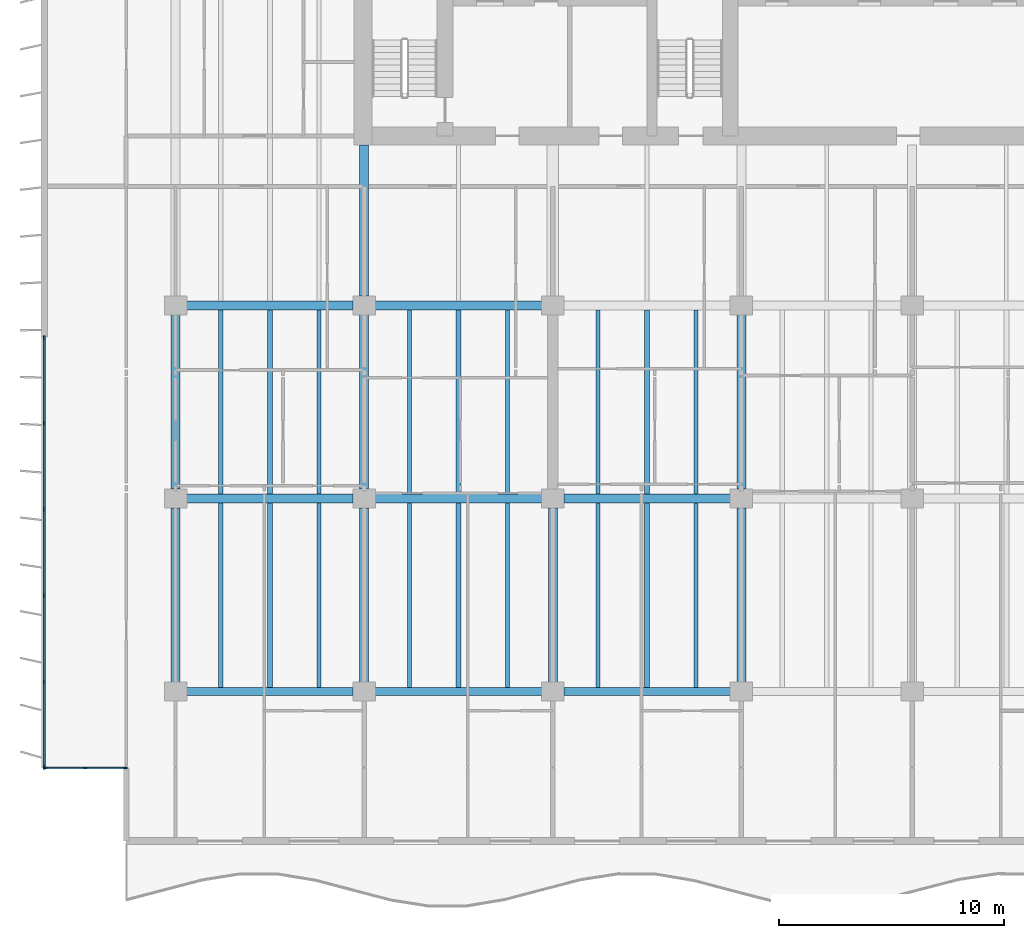
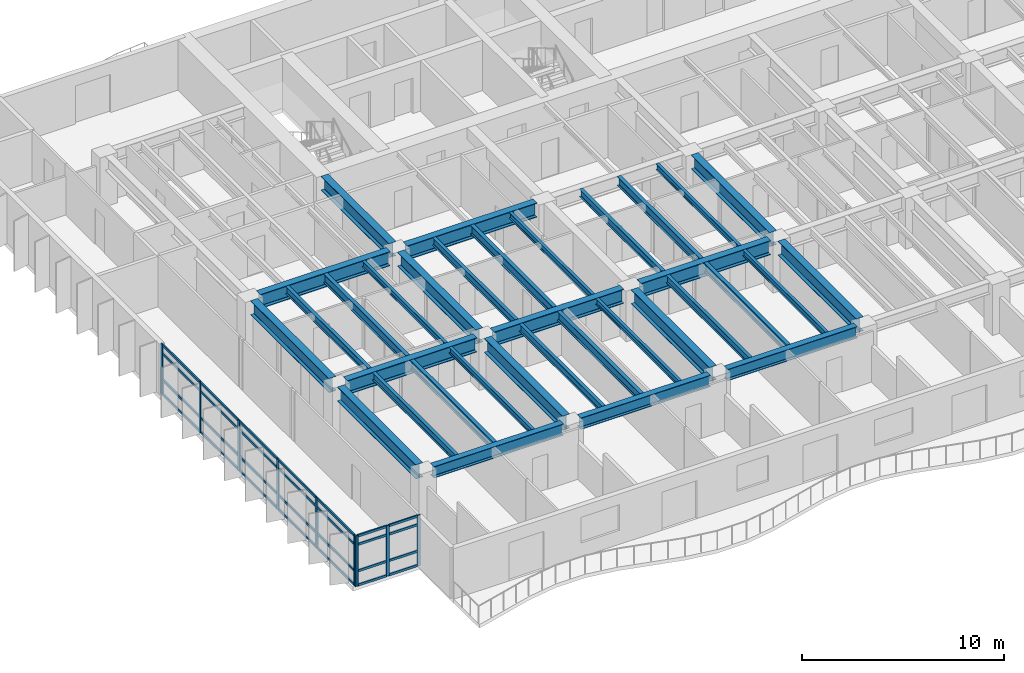
# One storey, part 2 of 18: 37 members, 34 beams, 2 elements without a shape of their own.
"""IFC4 building model written with IfcOpenShell, lengths in metres."""

from ifc_helpers import new_model, si_unit, direction, frame, origin, origin_2d, place, context, subcontext, project, spatial, rectangle, i_section, extrude, material, layer, layer_set, material_profile, profile_set, type_object, element, aggregate, save


model = new_model("IFC4")

# Units and contexts
model_context = context("Model", 3, precision=1e-05, world=origin(), true_north=direction((0.0, 1.0)))
body_context = subcontext(model_context, "Body", "Model", "MODEL_VIEW")
ifc_project = project(units=[si_unit("LENGTHUNIT", "METRE"), si_unit("AREAUNIT", "SQUARE_METRE"), si_unit("VOLUMEUNIT", "CUBIC_METRE"), si_unit("PLANEANGLEUNIT", "RADIAN"), si_unit("MASSUNIT", "GRAM", prefix="KILO")], contexts=[model_context])

# Site, building, storey
site_placement = place(None, origin())
site = spatial("IfcSite", under=ifc_project, at=site_placement, CompositionType="ELEMENT")
building_placement = place(site_placement, origin())
building = spatial("IfcBuilding", under=site, at=building_placement, Name="Caelmar Bay Residences", CompositionType="ELEMENT")
storey_placement = place(building_placement, frame((0.0, 0.0, 122.39990234375)))
storey = spatial("IfcBuildingStorey", under=building, at=storey_placement, Name="L33", CompositionType="ELEMENT", Elevation=122.39990234375)

# Beams
ifc_material_1 = material(Name="Steel ASTM A992 Grade 50", Category="steel")
ifc_material_profile_1 = material_profile(ifc_material_1, i_section(OverallWidth=0.40087890625, OverallDepth=0.861083984375, WebThickness=0.019775390625, FlangeThickness=0.032470703125, FilletRadius=0.017822265625, at=origin_2d()), Name="W33X221")
ifc_profile_set_1 = profile_set([ifc_material_profile_1], Name="Steel ASTM A992 Grade 50")
beam_type_1 = type_object("IfcBeamType", Name="BM-GRD-W33X221", PredefinedType="BEAM", material=ifc_profile_set_1)
beam_1_placement = place(storey_placement, frame((10.389892578125, 20.800048828125, 2.61962890625), z_axis=(1.0, 0.0, 0.0), x_axis=(0.0, 1.0, 0.0)))
element("IfcBeam", 1, at=beam_1_placement, inside=storey, type_object=beam_type_1, Name="L33 East-West Girder Y=20.80 (9.9-18.3)", PredefinedType="BEAM", context=body_context, shape_type="SweptSolid", body=[
    extrude(i_section(OverallWidth=0.40087890625, OverallDepth=0.861083984375, WebThickness=0.019775390625, FlangeThickness=0.032470703125, FilletRadius=0.017822265625, at=origin_2d()), origin(), (0.0, 0.0, 1.0), 7.420166015625),
])
beam_2_placement = place(storey_placement, frame((18.7900390625, 20.800048828125, 2.61962890625), z_axis=(1.0, 0.0, 0.0), x_axis=(0.0, 1.0, 0.0)))
element("IfcBeam", 2, at=beam_2_placement, inside=storey, type_object=beam_type_1, Name="L33 East-West Girder Y=20.80 (18.3-26.7)", PredefinedType="BEAM", context=body_context, shape_type="SweptSolid", body=[
    extrude(i_section(OverallWidth=0.40087890625, OverallDepth=0.861083984375, WebThickness=0.019775390625, FlangeThickness=0.032470703125, FilletRadius=0.017822265625, at=origin_2d()), origin(), (0.0, 0.0, 1.0), 7.419921875),
])
for number, where, z_axis, x_axis, name in (
    (3, (27.18994140625, 20.800048828125, 2.61962890625), (1.0, 0.0, 0.0), (0.0, 1.0, 0.0), "L33 East-West Girder Y=20.80 (26.7-35.1)"),
    (4, (10.389892578125, 29.39990234375, 2.61962890625), (1.0, 0.0, 0.0), (0.0, 1.0, 0.0), "L33 East-West Girder Y=29.40 (9.9-18.3)"),
):
    element("IfcBeam", number, at=place(storey_placement, frame(where, z_axis=z_axis, x_axis=x_axis)), inside=storey, type_object=beam_type_1, Name=name, PredefinedType="BEAM", context=body_context, shape_type="SweptSolid", body=[
        extrude(i_section(OverallWidth=0.40087890625, OverallDepth=0.861083984375, WebThickness=0.019775390625, FlangeThickness=0.032470703125, FilletRadius=0.017822265625, at=origin_2d()), origin(), (0.0, 0.0, 1.0), 7.420166015625),
    ])
beam_3_placement = place(storey_placement, frame((18.7900390625, 29.39990234375, 2.61962890625), z_axis=(1.0, 0.0, 0.0), x_axis=(0.0, 1.0, 0.0)))
element("IfcBeam", 5, at=beam_3_placement, inside=storey, type_object=beam_type_1, Name="L33 East-West Girder Y=29.40 (18.3-26.7)", PredefinedType="BEAM", context=body_context, shape_type="SweptSolid", body=[
    extrude(i_section(OverallWidth=0.40087890625, OverallDepth=0.861083984375, WebThickness=0.019775390625, FlangeThickness=0.032470703125, FilletRadius=0.017822265625, at=origin_2d()), origin(), (0.0, 0.0, 1.0), 7.419921875),
])
for number, where, z_axis, x_axis, name in (
    (6, (9.89990234375, 12.614990234375, 2.61962890625), (0.0, 1.0, 0.0), (-1.0, 0.0, 0.0), "L33 North-South Girder X=9.90 (12.2-20.8)"),
    (7, (9.89990234375, 21.215087890625, 2.61962890625), (0.0, 1.0, 0.0), (-1.0, 0.0, 0.0), "L33 North-South Girder X=9.90 (20.8-29.4)"),
):
    element("IfcBeam", number, at=place(storey_placement, frame(where, z_axis=z_axis, x_axis=x_axis)), inside=storey, type_object=beam_type_1, Name=name, PredefinedType="BEAM", context=body_context, shape_type="SweptSolid", body=[
        extrude(i_section(OverallWidth=0.40087890625, OverallDepth=0.861083984375, WebThickness=0.019775390625, FlangeThickness=0.032470703125, FilletRadius=0.017822265625, at=origin_2d()), origin(), (0.0, 0.0, 1.0), 7.77001953125),
    ])
beam_4_placement = place(storey_placement, frame((18.300048828125, 29.81494140625, 2.61962890625), z_axis=(0.0, 1.0, 0.0), x_axis=(-1.0, 0.0, 0.0)))
element("IfcBeam", 8, at=beam_4_placement, inside=storey, type_object=beam_type_1, Name="L33 Core Tie Girder X=18.30", PredefinedType="BEAM", context=body_context, shape_type="SweptSolid", body=[
    extrude(i_section(OverallWidth=0.40087890625, OverallDepth=0.861083984375, WebThickness=0.019775390625, FlangeThickness=0.032470703125, FilletRadius=0.017822265625, at=origin_2d()), origin(), (0.0, 0.0, 1.0), 6.735107421875),
])
for number, where, z_axis, x_axis, name in (
    (9, (18.300048828125, 12.614990234375, 2.61962890625), (0.0, 1.0, 0.0), (-1.0, 0.0, 0.0), "L33 North-South Girder X=18.30 (12.2-20.8)"),
    (10, (18.300048828125, 21.215087890625, 2.61962890625), (0.0, 1.0, 0.0), (-1.0, 0.0, 0.0), "L33 North-South Girder X=18.30 (20.8-29.4)"),
    (11, (26.699951171875, 12.614990234375, 2.61962890625), (0.0, 1.0, 0.0), (-1.0, 0.0, 0.0), "L33 North-South Girder X=26.70 (12.2-20.8)"),
    (12, (35.10009765625, 12.614990234375, 2.61962890625), (0.0, 1.0, 0.0), (-1.0, 0.0, 0.0), "L33 North-South Girder X=35.10 (12.2-20.8)"),
    (13, (35.10009765625, 21.215087890625, 2.61962890625), (0.0, 1.0, 0.0), (-1.0, 0.0, 0.0), "L33 North-South Girder X=35.10 (20.8-29.4)"),
):
    element("IfcBeam", number, at=place(storey_placement, frame(where, z_axis=z_axis, x_axis=x_axis)), inside=storey, type_object=beam_type_1, Name=name, PredefinedType="BEAM", context=body_context, shape_type="SweptSolid", body=[
        extrude(i_section(OverallWidth=0.40087890625, OverallDepth=0.861083984375, WebThickness=0.019775390625, FlangeThickness=0.032470703125, FilletRadius=0.017822265625, at=origin_2d()), origin(), (0.0, 0.0, 1.0), 7.77001953125),
    ])
ifc_material_profile_2 = material_profile(ifc_material_1, i_section(OverallWidth=0.1708984375, OverallDepth=0.35595703125, WebThickness=0.007080078125, FlangeThickness=0.01171875, FilletRadius=0.007568359375, at=origin_2d()), Name="W14X34")
ifc_profile_set_2 = profile_set([ifc_material_profile_2], Name="Steel ASTM A992 Grade 50")
beam_type_2 = type_object("IfcBeamType", Name="BM-JST-W14X34", PredefinedType="JOIST", material=ifc_profile_set_2)
for number, where, z_axis, x_axis, name in (
    (14, (16.283935546875, 12.3779296875, 2.8720703125), (0.0, 1.0, 0.0), (-1.0, 0.0, 0.0), "L33 Composite Floor Joist 3"),
    (15, (24.68408203125, 12.3779296875, 2.8720703125), (0.0, 1.0, 0.0), (-1.0, 0.0, 0.0), "L33 Composite Floor Joist 6"),
    (16, (33.083984375, 12.3779296875, 2.8720703125), (0.0, 1.0, 0.0), (-1.0, 0.0, 0.0), "L33 Composite Floor Joist 9"),
):
    element("IfcBeam", number, at=place(storey_placement, frame(where, z_axis=z_axis, x_axis=x_axis)), inside=storey, type_object=beam_type_2, Name=name, PredefinedType="JOIST", context=body_context, shape_type="SweptSolid", body=[
        extrude(i_section(OverallWidth=0.1708984375, OverallDepth=0.35595703125, WebThickness=0.007080078125, FlangeThickness=0.01171875, FilletRadius=0.007568359375, at=origin_2d()), origin(), (0.0, 0.0, 1.0), 8.2216796875),
    ])
for number, where, z_axis, x_axis, name in (
    (17, (16.283935546875, 21.00048828125, 2.8720703125), (0.0, 1.0, 0.0), (-1.0, 0.0, 0.0), "L33 Composite Floor Joist 24"),
    (18, (24.68408203125, 21.00048828125, 2.8720703125), (0.0, 1.0, 0.0), (-1.0, 0.0, 0.0), "L33 Composite Floor Joist 27"),
    (19, (33.083984375, 21.00048828125, 2.8720703125), (0.0, 1.0, 0.0), (-1.0, 0.0, 0.0), "L33 Composite Floor Joist 30"),
):
    element("IfcBeam", number, at=place(storey_placement, frame(where, z_axis=z_axis, x_axis=x_axis)), inside=storey, type_object=beam_type_2, Name=name, PredefinedType="JOIST", context=body_context, shape_type="SweptSolid", body=[
        extrude(i_section(OverallWidth=0.1708984375, OverallDepth=0.35595703125, WebThickness=0.007080078125, FlangeThickness=0.01171875, FilletRadius=0.007568359375, at=origin_2d()), origin(), (0.0, 0.0, 1.0), 8.198974609375),
    ])
ifc_material_profile_3 = material_profile(ifc_material_1, i_section(OverallWidth=0.19091796875, OverallDepth=0.45703125, WebThickness=0.009033203125, FlangeThickness=0.014404296875, FilletRadius=0.01025390625, at=origin_2d()), Name="W18X50")
ifc_profile_set_3 = profile_set([ifc_material_profile_3], Name="Steel ASTM A992 Grade 50")
beam_type_3 = type_object("IfcBeamType", Name="BM-JST-W18X50", PredefinedType="JOIST", material=ifc_profile_set_3)
for number, where, z_axis, x_axis, name in (
    (20, (11.916015625, 12.3779296875, 2.821533203125), (0.0, 1.0, 0.0), (-1.0, 0.0, 0.0), "L33 Composite Floor Joist 1"),
    (21, (20.31591796875, 12.3779296875, 2.821533203125), (0.0, 1.0, 0.0), (-1.0, 0.0, 0.0), "L33 Composite Floor Joist 4"),
    (22, (28.716064453125, 12.3779296875, 2.821533203125), (0.0, 1.0, 0.0), (-1.0, 0.0, 0.0), "L33 Composite Floor Joist 7"),
):
    element("IfcBeam", number, at=place(storey_placement, frame(where, z_axis=z_axis, x_axis=x_axis)), inside=storey, type_object=beam_type_3, Name=name, PredefinedType="JOIST", context=body_context, shape_type="SweptSolid", body=[
        extrude(i_section(OverallWidth=0.19091796875, OverallDepth=0.45703125, WebThickness=0.009033203125, FlangeThickness=0.014404296875, FilletRadius=0.01025390625, at=origin_2d()), origin(), (0.0, 0.0, 1.0), 8.2216796875),
    ])
for number, where, z_axis, x_axis, name in (
    (23, (11.916015625, 21.00048828125, 2.821533203125), (0.0, 1.0, 0.0), (-1.0, 0.0, 0.0), "L33 Composite Floor Joist 22"),
    (24, (20.31591796875, 21.00048828125, 2.821533203125), (0.0, 1.0, 0.0), (-1.0, 0.0, 0.0), "L33 Composite Floor Joist 25"),
    (25, (28.716064453125, 21.00048828125, 2.821533203125), (0.0, 1.0, 0.0), (-1.0, 0.0, 0.0), "L33 Composite Floor Joist 28"),
):
    element("IfcBeam", number, at=place(storey_placement, frame(where, z_axis=z_axis, x_axis=x_axis)), inside=storey, type_object=beam_type_3, Name=name, PredefinedType="JOIST", context=body_context, shape_type="SweptSolid", body=[
        extrude(i_section(OverallWidth=0.19091796875, OverallDepth=0.45703125, WebThickness=0.009033203125, FlangeThickness=0.014404296875, FilletRadius=0.01025390625, at=origin_2d()), origin(), (0.0, 0.0, 1.0), 8.198974609375),
    ])
ifc_material_profile_4 = material_profile(ifc_material_1, i_section(OverallWidth=0.214111328125, OverallDepth=0.549072265625, WebThickness=0.0146484375, FlangeThickness=0.023681640625, FilletRadius=0.0126953125, at=origin_2d()), Name="W21X93")
ifc_profile_set_4 = profile_set([ifc_material_profile_4], Name="Steel ASTM A992 Grade 50")
beam_type_4 = type_object("IfcBeamType", Name="BM-JST-W21X93", PredefinedType="JOIST", material=ifc_profile_set_4)
for number, where, z_axis, x_axis, name in (
    (26, (14.10009765625, 12.3779296875, 2.775634765625), (0.0, 1.0, 0.0), (-1.0, 0.0, 0.0), "L33 Composite Floor Joist 2"),
    (27, (22.5, 12.3779296875, 2.775634765625), (0.0, 1.0, 0.0), (-1.0, 0.0, 0.0), "L33 Composite Floor Joist 5"),
    (28, (30.89990234375, 12.3779296875, 2.775634765625), (0.0, 1.0, 0.0), (-1.0, 0.0, 0.0), "L33 Composite Floor Joist 8"),
):
    element("IfcBeam", number, at=place(storey_placement, frame(where, z_axis=z_axis, x_axis=x_axis)), inside=storey, type_object=beam_type_4, Name=name, PredefinedType="JOIST", context=body_context, shape_type="SweptSolid", body=[
        extrude(i_section(OverallWidth=0.214111328125, OverallDepth=0.549072265625, WebThickness=0.0146484375, FlangeThickness=0.023681640625, FilletRadius=0.0126953125, at=origin_2d()), origin(), (0.0, 0.0, 1.0), 8.2216796875),
    ])
for number, where, z_axis, x_axis, name in (
    (29, (14.10009765625, 21.00048828125, 2.775634765625), (0.0, 1.0, 0.0), (-1.0, 0.0, 0.0), "L33 Composite Floor Joist 23"),
    (30, (22.5, 21.00048828125, 2.775634765625), (0.0, 1.0, 0.0), (-1.0, 0.0, 0.0), "L33 Composite Floor Joist 26"),
    (31, (30.89990234375, 21.00048828125, 2.775634765625), (0.0, 1.0, 0.0), (-1.0, 0.0, 0.0), "L33 Composite Floor Joist 29"),
):
    element("IfcBeam", number, at=place(storey_placement, frame(where, z_axis=z_axis, x_axis=x_axis)), inside=storey, type_object=beam_type_4, Name=name, PredefinedType="JOIST", context=body_context, shape_type="SweptSolid", body=[
        extrude(i_section(OverallWidth=0.214111328125, OverallDepth=0.549072265625, WebThickness=0.0146484375, FlangeThickness=0.023681640625, FilletRadius=0.0126953125, at=origin_2d()), origin(), (0.0, 0.0, 1.0), 8.198974609375),
    ])
ifc_material_profile_5 = material_profile(ifc_material_1, i_section(OverallWidth=0.35595703125, OverallDepth=0.696044921875, WebThickness=0.015380859375, FlangeThickness=0.02490234375, FilletRadius=0.01513671875, at=origin_2d()), Name="W27X146")
ifc_profile_set_5 = profile_set([ifc_material_profile_5], Name="Steel ASTM A992 Grade 50")
beam_type_5 = type_object("IfcBeamType", Name="BM-SPN-W27X146", PredefinedType="SPANDREL", material=ifc_profile_set_5)
beam_5_placement = place(storey_placement, frame((10.389892578125, 12.199951171875, 2.7021484375), z_axis=(1.0, 0.0, 0.0), x_axis=(0.0, 1.0, 0.0)))
element("IfcBeam", 32, at=beam_5_placement, inside=storey, type_object=beam_type_5, Name="L33 East-West Girder Y=12.20 (9.9-18.3)", PredefinedType="SPANDREL", context=body_context, shape_type="SweptSolid", body=[
    extrude(i_section(OverallWidth=0.35595703125, OverallDepth=0.696044921875, WebThickness=0.015380859375, FlangeThickness=0.02490234375, FilletRadius=0.01513671875, at=origin_2d()), origin(), (0.0, 0.0, 1.0), 7.420166015625),
])
beam_6_placement = place(storey_placement, frame((18.7900390625, 12.199951171875, 2.7021484375), z_axis=(1.0, 0.0, 0.0), x_axis=(0.0, 1.0, 0.0)))
element("IfcBeam", 33, at=beam_6_placement, inside=storey, type_object=beam_type_5, Name="L33 East-West Girder Y=12.20 (18.3-26.7)", PredefinedType="SPANDREL", context=body_context, shape_type="SweptSolid", body=[
    extrude(i_section(OverallWidth=0.35595703125, OverallDepth=0.696044921875, WebThickness=0.015380859375, FlangeThickness=0.02490234375, FilletRadius=0.01513671875, at=origin_2d()), origin(), (0.0, 0.0, 1.0), 7.419921875),
])
beam_7_placement = place(storey_placement, frame((27.18994140625, 12.199951171875, 2.7021484375), z_axis=(1.0, 0.0, 0.0), x_axis=(0.0, 1.0, 0.0)))
element("IfcBeam", 34, at=beam_7_placement, inside=storey, type_object=beam_type_5, Name="L33 East-West Girder Y=12.20 (26.7-35.1)", PredefinedType="SPANDREL", context=body_context, shape_type="SweptSolid", body=[
    extrude(i_section(OverallWidth=0.35595703125, OverallDepth=0.696044921875, WebThickness=0.015380859375, FlangeThickness=0.02490234375, FilletRadius=0.01513671875, at=origin_2d()), origin(), (0.0, 0.0, 1.0), 7.420166015625),
])

# Curtain wall, members
ifc_material_2 = material(Name="Anodised bronze aluminium 6063-T6 and laminated glass", Category="aluminium")
ifc_layer_1 = layer(ifc_material_2, 0.179931640625)
ifc_layer_set_1 = layer_set([ifc_layer_1], Name="Anodised bronze aluminium 6063-T6 and laminated glass")
curtain_wall_type_1 = type_object("IfcCurtainWallType", Name="CW6-NTC", PredefinedType="NOTDEFINED", material=ifc_layer_set_1)
curtain_wall_1_placement = place(storey_placement, origin())
curtain_wall_1 = element("IfcCurtainWall", 35, at=curtain_wall_1_placement, inside=storey, type_object=curtain_wall_type_1, Name="CW6 curtain wall L33", PredefinedType="NOTDEFINED")
ifc_material_3 = material(Name="Anodised bronze aluminium 6063-T6", Category="aluminium")
ifc_material_profile_6 = material_profile(ifc_material_3, rectangle(XDim=0.080078125, YDim=0.179931640625, at=origin_2d()), Name="CWM-80X180")
ifc_profile_set_6 = profile_set([ifc_material_profile_6], Name="Anodised bronze aluminium 6063-T6")
member_type_1 = type_object("IfcMemberType", Name="CWM-180", PredefinedType="MULLION", material=ifc_profile_set_6)
member_1_placement = place(storey_placement, frame((4.090087890625, 8.800048828125, 0.0), z_axis=(0.0, 0.0, 1.0), x_axis=(0.0, 1.0, 0.0)))
member_1 = element("IfcMember", 36, at=member_1_placement, type_object=member_type_1, Name="CW6 mullion 1", PredefinedType="MULLION", context=body_context, shape_type="SweptSolid", body=[
    extrude(rectangle(XDim=0.080078125, YDim=0.179931640625, at=origin_2d()), origin(), (0.0, 0.0, 1.0), 3.050048828125),
])
member_2_placement = place(storey_placement, frame((5.875, 8.800048828125, 0.0), z_axis=(0.0, 0.0, 1.0), x_axis=(0.0, 1.0, 0.0)))
member_2 = element("IfcMember", 37, at=member_2_placement, type_object=member_type_1, Name="CW6 mullion 2", PredefinedType="MULLION", context=body_context, shape_type="SweptSolid", body=[
    extrude(rectangle(XDim=0.080078125, YDim=0.179931640625, at=origin_2d()), origin(), (0.0, 0.0, 1.0), 3.050048828125),
])
member_3_placement = place(storey_placement, frame((7.659912109375, 8.800048828125, 0.0), z_axis=(0.0, 0.0, 1.0), x_axis=(0.0, 1.0, 0.0)))
member_3 = element("IfcMember", 38, at=member_3_placement, type_object=member_type_1, Name="CW6 mullion 3", PredefinedType="MULLION", context=body_context, shape_type="SweptSolid", body=[
    extrude(rectangle(XDim=0.080078125, YDim=0.179931640625, at=origin_2d()), origin(), (0.0, 0.0, 1.0), 3.050048828125),
])

ifc_layer_2 = layer(ifc_material_2, 0.179931640625)
ifc_layer_set_2 = layer_set([ifc_layer_2], Name="Anodised bronze aluminium 6063-T6 and laminated glass")
curtain_wall_type_2 = type_object("IfcCurtainWallType", Name="CW3-Z2", PredefinedType="NOTDEFINED", material=ifc_layer_set_2)
curtain_wall_2_placement = place(storey_placement, origin())
curtain_wall_2 = element("IfcCurtainWall", 39, at=curtain_wall_2_placement, inside=storey, type_object=curtain_wall_type_2, Name="CW3 curtain wall L33", PredefinedType="NOTDEFINED")
member_4_placement = place(storey_placement, frame((4.050048828125, 8.840087890625, 0.0), z_axis=(0.0, 0.0, 1.0), x_axis=(-1.0, 0.0, 0.0)))
member_4 = element("IfcMember", 40, at=member_4_placement, type_object=member_type_1, Name="CW3 mullion 1", PredefinedType="MULLION", context=body_context, shape_type="SweptSolid", body=[
    extrude(rectangle(XDim=0.080078125, YDim=0.179931640625, at=origin_2d()), origin(), (0.0, 0.0, 1.0), 3.050048828125),
])
member_5_placement = place(storey_placement, frame((4.050048828125, 12.639892578125, 0.0), z_axis=(0.0, 0.0, 1.0), x_axis=(-1.0, 0.0, 0.0)))
member_5 = element("IfcMember", 41, at=member_5_placement, type_object=member_type_1, Name="CW3 mullion 2", PredefinedType="MULLION", context=body_context, shape_type="SweptSolid", body=[
    extrude(rectangle(XDim=0.080078125, YDim=0.179931640625, at=origin_2d()), origin(), (0.0, 0.0, 1.0), 3.050048828125),
])
member_6_placement = place(storey_placement, frame((4.050048828125, 16.47998046875, 0.0), z_axis=(0.0, 0.0, 1.0), x_axis=(-1.0, 0.0, 0.0)))
member_6 = element("IfcMember", 42, at=member_6_placement, type_object=member_type_1, Name="CW3 mullion 3", PredefinedType="MULLION", context=body_context, shape_type="SweptSolid", body=[
    extrude(rectangle(XDim=0.080078125, YDim=0.179931640625, at=origin_2d()), origin(), (0.0, 0.0, 1.0), 3.050048828125),
])
member_7_placement = place(storey_placement, frame((4.050048828125, 20.320068359375, 0.0), z_axis=(0.0, 0.0, 1.0), x_axis=(-1.0, 0.0, 0.0)))
member_7 = element("IfcMember", 43, at=member_7_placement, type_object=member_type_1, Name="CW3 mullion 4", PredefinedType="MULLION", context=body_context, shape_type="SweptSolid", body=[
    extrude(rectangle(XDim=0.080078125, YDim=0.179931640625, at=origin_2d()), origin(), (0.0, 0.0, 1.0), 3.050048828125),
])
member_8_placement = place(storey_placement, frame((4.050048828125, 24.159912109375, 0.0), z_axis=(0.0, 0.0, 1.0), x_axis=(-1.0, 0.0, 0.0)))
member_8 = element("IfcMember", 44, at=member_8_placement, type_object=member_type_1, Name="CW3 mullion 5", PredefinedType="MULLION", context=body_context, shape_type="SweptSolid", body=[
    extrude(rectangle(XDim=0.080078125, YDim=0.179931640625, at=origin_2d()), origin(), (0.0, 0.0, 1.0), 3.050048828125),
])
member_9_placement = place(storey_placement, frame((4.050048828125, 27.9599609375, 0.0), z_axis=(0.0, 0.0, 1.0), x_axis=(-1.0, 0.0, 0.0)))
member_9 = element("IfcMember", 45, at=member_9_placement, type_object=member_type_1, Name="CW3 mullion 6", PredefinedType="MULLION", context=body_context, shape_type="SweptSolid", body=[
    extrude(rectangle(XDim=0.080078125, YDim=0.179931640625, at=origin_2d()), origin(), (0.0, 0.0, 1.0), 3.050048828125),
])

# Member
ifc_material_profile_7 = material_profile(ifc_material_3, rectangle(XDim=0.080078125, YDim=0.139892578125, at=origin_2d()), Name="CWT-80X140")
ifc_profile_set_7 = profile_set([ifc_material_profile_7], Name="Anodised bronze aluminium 6063-T6")
member_type_2 = type_object("IfcMemberType", Name="CWT-140", PredefinedType="NOTDEFINED", material=ifc_profile_set_7)
member_10_placement = place(storey_placement, frame((4.1298828125, 8.800048828125, 0.0400390625), z_axis=(1.0, 0.0, 0.0), x_axis=(0.0, 1.0, 0.0)))
member_10 = element("IfcMember", 46, at=member_10_placement, type_object=member_type_2, Name="CW6 transom 1.1", ObjectType="TRANSOM", PredefinedType="USERDEFINED", context=body_context, shape_type="SweptSolid", body=[
    extrude(rectangle(XDim=0.080078125, YDim=0.139892578125, at=origin_2d()), origin(), (0.0, 0.0, 1.0), 1.705078125),
])

member_11_placement = place(storey_placement, frame((4.1298828125, 8.800048828125, 0.900146484375), z_axis=(1.0, 0.0, 0.0), x_axis=(0.0, 1.0, 0.0)))
member_11 = element("IfcMember", 47, at=member_11_placement, type_object=member_type_2, Name="CW6 transom 1.2", ObjectType="TRANSOM", PredefinedType="USERDEFINED", context=body_context, shape_type="SweptSolid", body=[
    extrude(rectangle(XDim=0.080078125, YDim=0.139892578125, at=origin_2d()), origin(), (0.0, 0.0, 1.0), 1.705078125),
])

member_12_placement = place(storey_placement, frame((4.1298828125, 8.800048828125, 2.5), z_axis=(1.0, 0.0, 0.0), x_axis=(0.0, 1.0, 0.0)))
member_12 = element("IfcMember", 48, at=member_12_placement, type_object=member_type_2, Name="CW6 transom 1.3", ObjectType="TRANSOM", PredefinedType="USERDEFINED", context=body_context, shape_type="SweptSolid", body=[
    extrude(rectangle(XDim=0.080078125, YDim=0.139892578125, at=origin_2d()), origin(), (0.0, 0.0, 1.0), 1.705078125),
])

member_13_placement = place(storey_placement, frame((4.1298828125, 8.800048828125, 3.010009765625), z_axis=(1.0, 0.0, 0.0), x_axis=(0.0, 1.0, 0.0)))
member_13 = element("IfcMember", 49, at=member_13_placement, type_object=member_type_2, Name="CW6 transom 1.4", ObjectType="TRANSOM", PredefinedType="USERDEFINED", context=body_context, shape_type="SweptSolid", body=[
    extrude(rectangle(XDim=0.080078125, YDim=0.139892578125, at=origin_2d()), origin(), (0.0, 0.0, 1.0), 1.705078125),
])

member_14_placement = place(storey_placement, frame((5.9150390625, 8.800048828125, 0.0400390625), z_axis=(1.0, 0.0, 0.0), x_axis=(0.0, 1.0, 0.0)))
member_14 = element("IfcMember", 50, at=member_14_placement, type_object=member_type_2, Name="CW6 transom 2.1", ObjectType="TRANSOM", PredefinedType="USERDEFINED", context=body_context, shape_type="SweptSolid", body=[
    extrude(rectangle(XDim=0.080078125, YDim=0.139892578125, at=origin_2d()), origin(), (0.0, 0.0, 1.0), 1.705078125),
])

member_15_placement = place(storey_placement, frame((5.9150390625, 8.800048828125, 0.900146484375), z_axis=(1.0, 0.0, 0.0), x_axis=(0.0, 1.0, 0.0)))
member_15 = element("IfcMember", 51, at=member_15_placement, type_object=member_type_2, Name="CW6 transom 2.2", ObjectType="TRANSOM", PredefinedType="USERDEFINED", context=body_context, shape_type="SweptSolid", body=[
    extrude(rectangle(XDim=0.080078125, YDim=0.139892578125, at=origin_2d()), origin(), (0.0, 0.0, 1.0), 1.705078125),
])

member_16_placement = place(storey_placement, frame((5.9150390625, 8.800048828125, 2.5), z_axis=(1.0, 0.0, 0.0), x_axis=(0.0, 1.0, 0.0)))
member_16 = element("IfcMember", 52, at=member_16_placement, type_object=member_type_2, Name="CW6 transom 2.3", ObjectType="TRANSOM", PredefinedType="USERDEFINED", context=body_context, shape_type="SweptSolid", body=[
    extrude(rectangle(XDim=0.080078125, YDim=0.139892578125, at=origin_2d()), origin(), (0.0, 0.0, 1.0), 1.705078125),
])

member_17_placement = place(storey_placement, frame((5.9150390625, 8.800048828125, 3.010009765625), z_axis=(1.0, 0.0, 0.0), x_axis=(0.0, 1.0, 0.0)))
member_17 = element("IfcMember", 53, at=member_17_placement, type_object=member_type_2, Name="CW6 transom 2.4", ObjectType="TRANSOM", PredefinedType="USERDEFINED", context=body_context, shape_type="SweptSolid", body=[
    extrude(rectangle(XDim=0.080078125, YDim=0.139892578125, at=origin_2d()), origin(), (0.0, 0.0, 1.0), 1.705078125),
])

aggregate(curtain_wall_1, [member_1, member_2, member_3, member_10, member_11, member_12, member_13, member_14, member_15, member_16, member_17])

member_18_placement = place(storey_placement, frame((4.050048828125, 8.8798828125, 0.0400390625), z_axis=(0.0, 1.0, 0.0), x_axis=(-1.0, 0.0, 0.0)))
member_18 = element("IfcMember", 54, at=member_18_placement, type_object=member_type_2, Name="CW3 transom 1.1", ObjectType="TRANSOM", PredefinedType="USERDEFINED", context=body_context, shape_type="SweptSolid", body=[
    extrude(rectangle(XDim=0.080078125, YDim=0.139892578125, at=origin_2d()), origin(), (0.0, 0.0, 1.0), 3.72021484375),
])

member_19_placement = place(storey_placement, frame((4.050048828125, 8.8798828125, 0.900146484375), z_axis=(0.0, 1.0, 0.0), x_axis=(-1.0, 0.0, 0.0)))
member_19 = element("IfcMember", 55, at=member_19_placement, type_object=member_type_2, Name="CW3 transom 1.2", ObjectType="TRANSOM", PredefinedType="USERDEFINED", context=body_context, shape_type="SweptSolid", body=[
    extrude(rectangle(XDim=0.080078125, YDim=0.139892578125, at=origin_2d()), origin(), (0.0, 0.0, 1.0), 3.72021484375),
])

member_20_placement = place(storey_placement, frame((4.050048828125, 8.8798828125, 2.5), z_axis=(0.0, 1.0, 0.0), x_axis=(-1.0, 0.0, 0.0)))
member_20 = element("IfcMember", 56, at=member_20_placement, type_object=member_type_2, Name="CW3 transom 1.3", ObjectType="TRANSOM", PredefinedType="USERDEFINED", context=body_context, shape_type="SweptSolid", body=[
    extrude(rectangle(XDim=0.080078125, YDim=0.139892578125, at=origin_2d()), origin(), (0.0, 0.0, 1.0), 3.72021484375),
])

member_21_placement = place(storey_placement, frame((4.050048828125, 8.8798828125, 3.010009765625), z_axis=(0.0, 1.0, 0.0), x_axis=(-1.0, 0.0, 0.0)))
member_21 = element("IfcMember", 57, at=member_21_placement, type_object=member_type_2, Name="CW3 transom 1.4", ObjectType="TRANSOM", PredefinedType="USERDEFINED", context=body_context, shape_type="SweptSolid", body=[
    extrude(rectangle(XDim=0.080078125, YDim=0.139892578125, at=origin_2d()), origin(), (0.0, 0.0, 1.0), 3.72021484375),
])

member_22_placement = place(storey_placement, frame((4.050048828125, 12.679931640625, 0.0400390625), z_axis=(0.0, 1.0, 0.0), x_axis=(-1.0, 0.0, 0.0)))
member_22 = element("IfcMember", 58, at=member_22_placement, type_object=member_type_2, Name="CW3 transom 2.1", ObjectType="TRANSOM", PredefinedType="USERDEFINED", context=body_context, shape_type="SweptSolid", body=[
    extrude(rectangle(XDim=0.080078125, YDim=0.139892578125, at=origin_2d()), origin(), (0.0, 0.0, 1.0), 3.760009765625),
])

member_23_placement = place(storey_placement, frame((4.050048828125, 12.679931640625, 0.900146484375), z_axis=(0.0, 1.0, 0.0), x_axis=(-1.0, 0.0, 0.0)))
member_23 = element("IfcMember", 59, at=member_23_placement, type_object=member_type_2, Name="CW3 transom 2.2", ObjectType="TRANSOM", PredefinedType="USERDEFINED", context=body_context, shape_type="SweptSolid", body=[
    extrude(rectangle(XDim=0.080078125, YDim=0.139892578125, at=origin_2d()), origin(), (0.0, 0.0, 1.0), 3.760009765625),
])

member_24_placement = place(storey_placement, frame((4.050048828125, 12.679931640625, 2.5), z_axis=(0.0, 1.0, 0.0), x_axis=(-1.0, 0.0, 0.0)))
member_24 = element("IfcMember", 60, at=member_24_placement, type_object=member_type_2, Name="CW3 transom 2.3", ObjectType="TRANSOM", PredefinedType="USERDEFINED", context=body_context, shape_type="SweptSolid", body=[
    extrude(rectangle(XDim=0.080078125, YDim=0.139892578125, at=origin_2d()), origin(), (0.0, 0.0, 1.0), 3.760009765625),
])

member_25_placement = place(storey_placement, frame((4.050048828125, 12.679931640625, 3.010009765625), z_axis=(0.0, 1.0, 0.0), x_axis=(-1.0, 0.0, 0.0)))
member_25 = element("IfcMember", 61, at=member_25_placement, type_object=member_type_2, Name="CW3 transom 2.4", ObjectType="TRANSOM", PredefinedType="USERDEFINED", context=body_context, shape_type="SweptSolid", body=[
    extrude(rectangle(XDim=0.080078125, YDim=0.139892578125, at=origin_2d()), origin(), (0.0, 0.0, 1.0), 3.760009765625),
])

member_26_placement = place(storey_placement, frame((4.050048828125, 16.52001953125, 0.0400390625), z_axis=(0.0, 1.0, 0.0), x_axis=(-1.0, 0.0, 0.0)))
member_26 = element("IfcMember", 62, at=member_26_placement, type_object=member_type_2, Name="CW3 transom 3.1", ObjectType="TRANSOM", PredefinedType="USERDEFINED", context=body_context, shape_type="SweptSolid", body=[
    extrude(rectangle(XDim=0.080078125, YDim=0.139892578125, at=origin_2d()), origin(), (0.0, 0.0, 1.0), 3.760009765625),
])

member_27_placement = place(storey_placement, frame((4.050048828125, 16.52001953125, 0.900146484375), z_axis=(0.0, 1.0, 0.0), x_axis=(-1.0, 0.0, 0.0)))
member_27 = element("IfcMember", 63, at=member_27_placement, type_object=member_type_2, Name="CW3 transom 3.2", ObjectType="TRANSOM", PredefinedType="USERDEFINED", context=body_context, shape_type="SweptSolid", body=[
    extrude(rectangle(XDim=0.080078125, YDim=0.139892578125, at=origin_2d()), origin(), (0.0, 0.0, 1.0), 3.760009765625),
])

member_28_placement = place(storey_placement, frame((4.050048828125, 16.52001953125, 2.5), z_axis=(0.0, 1.0, 0.0), x_axis=(-1.0, 0.0, 0.0)))
member_28 = element("IfcMember", 64, at=member_28_placement, type_object=member_type_2, Name="CW3 transom 3.3", ObjectType="TRANSOM", PredefinedType="USERDEFINED", context=body_context, shape_type="SweptSolid", body=[
    extrude(rectangle(XDim=0.080078125, YDim=0.139892578125, at=origin_2d()), origin(), (0.0, 0.0, 1.0), 3.760009765625),
])

member_29_placement = place(storey_placement, frame((4.050048828125, 16.52001953125, 3.010009765625), z_axis=(0.0, 1.0, 0.0), x_axis=(-1.0, 0.0, 0.0)))
member_29 = element("IfcMember", 65, at=member_29_placement, type_object=member_type_2, Name="CW3 transom 3.4", ObjectType="TRANSOM", PredefinedType="USERDEFINED", context=body_context, shape_type="SweptSolid", body=[
    extrude(rectangle(XDim=0.080078125, YDim=0.139892578125, at=origin_2d()), origin(), (0.0, 0.0, 1.0), 3.760009765625),
])

member_30_placement = place(storey_placement, frame((4.050048828125, 20.360107421875, 0.0400390625), z_axis=(0.0, 1.0, 0.0), x_axis=(-1.0, 0.0, 0.0)))
member_30 = element("IfcMember", 66, at=member_30_placement, type_object=member_type_2, Name="CW3 transom 4.1", ObjectType="TRANSOM", PredefinedType="USERDEFINED", context=body_context, shape_type="SweptSolid", body=[
    extrude(rectangle(XDim=0.080078125, YDim=0.139892578125, at=origin_2d()), origin(), (0.0, 0.0, 1.0), 3.760009765625),
])

member_31_placement = place(storey_placement, frame((4.050048828125, 20.360107421875, 0.900146484375), z_axis=(0.0, 1.0, 0.0), x_axis=(-1.0, 0.0, 0.0)))
member_31 = element("IfcMember", 67, at=member_31_placement, type_object=member_type_2, Name="CW3 transom 4.2", ObjectType="TRANSOM", PredefinedType="USERDEFINED", context=body_context, shape_type="SweptSolid", body=[
    extrude(rectangle(XDim=0.080078125, YDim=0.139892578125, at=origin_2d()), origin(), (0.0, 0.0, 1.0), 3.760009765625),
])

member_32_placement = place(storey_placement, frame((4.050048828125, 20.360107421875, 2.5), z_axis=(0.0, 1.0, 0.0), x_axis=(-1.0, 0.0, 0.0)))
member_32 = element("IfcMember", 68, at=member_32_placement, type_object=member_type_2, Name="CW3 transom 4.3", ObjectType="TRANSOM", PredefinedType="USERDEFINED", context=body_context, shape_type="SweptSolid", body=[
    extrude(rectangle(XDim=0.080078125, YDim=0.139892578125, at=origin_2d()), origin(), (0.0, 0.0, 1.0), 3.760009765625),
])

member_33_placement = place(storey_placement, frame((4.050048828125, 20.360107421875, 3.010009765625), z_axis=(0.0, 1.0, 0.0), x_axis=(-1.0, 0.0, 0.0)))
member_33 = element("IfcMember", 69, at=member_33_placement, type_object=member_type_2, Name="CW3 transom 4.4", ObjectType="TRANSOM", PredefinedType="USERDEFINED", context=body_context, shape_type="SweptSolid", body=[
    extrude(rectangle(XDim=0.080078125, YDim=0.139892578125, at=origin_2d()), origin(), (0.0, 0.0, 1.0), 3.760009765625),
])

member_34_placement = place(storey_placement, frame((4.050048828125, 24.199951171875, 0.0400390625), z_axis=(0.0, 1.0, 0.0), x_axis=(-1.0, 0.0, 0.0)))
member_34 = element("IfcMember", 70, at=member_34_placement, type_object=member_type_2, Name="CW3 transom 5.1", ObjectType="TRANSOM", PredefinedType="USERDEFINED", context=body_context, shape_type="SweptSolid", body=[
    extrude(rectangle(XDim=0.080078125, YDim=0.139892578125, at=origin_2d()), origin(), (0.0, 0.0, 1.0), 3.719970703125),
])

member_35_placement = place(storey_placement, frame((4.050048828125, 24.199951171875, 0.900146484375), z_axis=(0.0, 1.0, 0.0), x_axis=(-1.0, 0.0, 0.0)))
member_35 = element("IfcMember", 71, at=member_35_placement, type_object=member_type_2, Name="CW3 transom 5.2", ObjectType="TRANSOM", PredefinedType="USERDEFINED", context=body_context, shape_type="SweptSolid", body=[
    extrude(rectangle(XDim=0.080078125, YDim=0.139892578125, at=origin_2d()), origin(), (0.0, 0.0, 1.0), 3.719970703125),
])

member_36_placement = place(storey_placement, frame((4.050048828125, 24.199951171875, 2.5), z_axis=(0.0, 1.0, 0.0), x_axis=(-1.0, 0.0, 0.0)))
member_36 = element("IfcMember", 72, at=member_36_placement, type_object=member_type_2, Name="CW3 transom 5.3", ObjectType="TRANSOM", PredefinedType="USERDEFINED", context=body_context, shape_type="SweptSolid", body=[
    extrude(rectangle(XDim=0.080078125, YDim=0.139892578125, at=origin_2d()), origin(), (0.0, 0.0, 1.0), 3.719970703125),
])

member_37_placement = place(storey_placement, frame((4.050048828125, 24.199951171875, 3.010009765625), z_axis=(0.0, 1.0, 0.0), x_axis=(-1.0, 0.0, 0.0)))
member_37 = element("IfcMember", 73, at=member_37_placement, type_object=member_type_2, Name="CW3 transom 5.4", ObjectType="TRANSOM", PredefinedType="USERDEFINED", context=body_context, shape_type="SweptSolid", body=[
    extrude(rectangle(XDim=0.080078125, YDim=0.139892578125, at=origin_2d()), origin(), (0.0, 0.0, 1.0), 3.719970703125),
])

aggregate(curtain_wall_2, [member_4, member_5, member_6, member_7, member_8, member_9, member_18, member_19, member_20, member_21, member_22, member_23, member_24, member_25, member_26, member_27, member_28, member_29, member_30, member_31, member_32, member_33, member_34, member_35, member_36, member_37])

save(model, "model.ifc")
